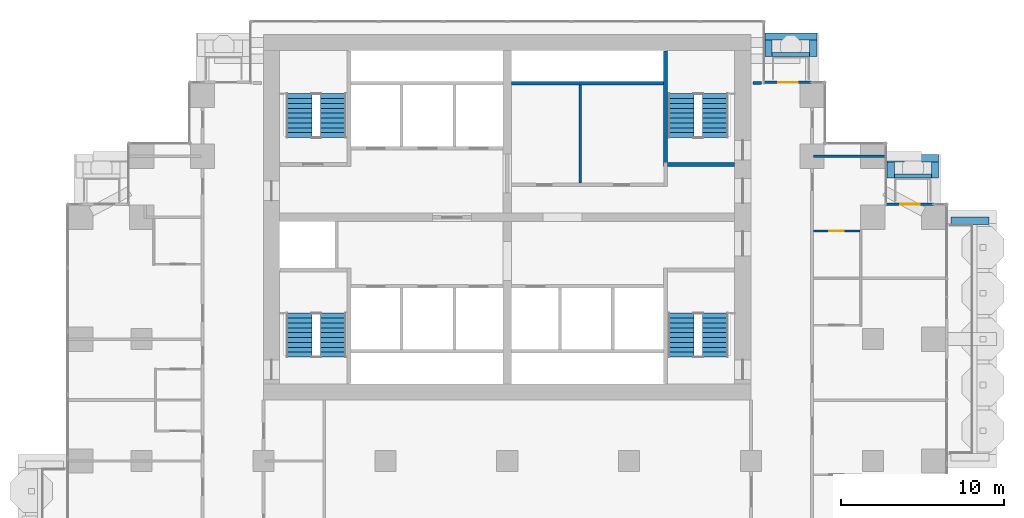
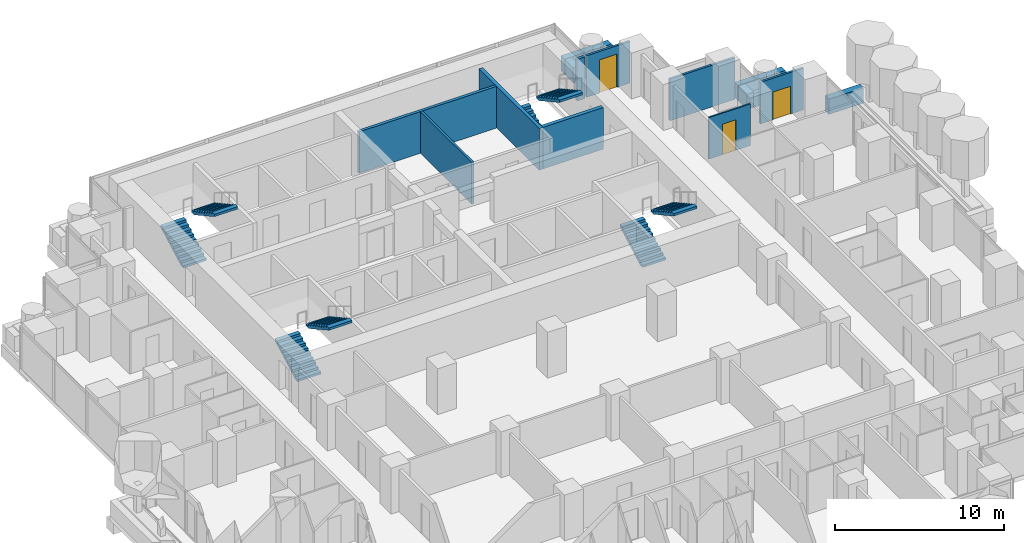
# One storey, part 16 of 19: 18 walls, 8 stair flights, 3 doors, 3 openings, 4 elements without a shape of their own.
"""IFC4 building model written with IfcOpenShell, lengths in metres."""

from ifc_helpers import new_model, si_unit, direction, frame, frame_2d, origin, place, context, subcontext, project, spatial, polyline, rectangle, outline, extrude, material, layer, layer_set, type_object, element, fill, aggregate, save


model = new_model("IFC4")

# Units and contexts
model_context = context("Model", 3, precision=1e-05, world=origin(), true_north=direction((0.0, 1.0)))
body_context = subcontext(model_context, "Body", "Model", "MODEL_VIEW")
ifc_project = project(units=[si_unit("LENGTHUNIT", "METRE"), si_unit("AREAUNIT", "SQUARE_METRE"), si_unit("VOLUMEUNIT", "CUBIC_METRE"), si_unit("PLANEANGLEUNIT", "RADIAN"), si_unit("MASSUNIT", "GRAM", prefix="KILO")], contexts=[model_context])

# Site, building, storey
site_placement = place(None, origin())
site = spatial("IfcSite", under=ifc_project, at=site_placement, CompositionType="ELEMENT")
building_placement = place(site_placement, origin())
building = spatial("IfcBuilding", under=site, at=building_placement, Name="Pilkhan Gate Tower", CompositionType="ELEMENT")
storey_placement = place(building_placement, frame((0.0, 0.0, 65.89990234375)))
storey = spatial("IfcBuildingStorey", under=building, at=storey_placement, Name="L14", CompositionType="ELEMENT", Elevation=65.89990234375)

# Walls
ifc_material_1 = material(Name="Concrete C40/50", Category="concrete")
ifc_layer_1 = layer(ifc_material_1, 0.25)
ifc_layer_set_1 = layer_set([ifc_layer_1], Name="Balcony planter BP250")
wall_type_1 = type_object("IfcWallType", Name="Balcony planter BP250", PredefinedType="USERDEFINED", material=ifc_layer_set_1)
wall_1_placement = place(storey_placement, frame((91.300048828125, 92.52490234375, 0.0), z_axis=(0.0, 0.0, 1.0), x_axis=(1.0, 0.0, 0.0)))
element("IfcWall", 1, at=wall_1_placement, inside=storey, type_object=wall_type_1, Name="Balcony planter L14 N", ObjectType="BALCONY PLANTER", PredefinedType="USERDEFINED", context=body_context, shape_type="SweptSolid", body=[
    extrude(rectangle(XDim=2.300048828125, YDim=0.25, at=frame_2d((1.14990234375, 0.0))), origin(), (0.0, 0.0, 1.0), 1.0),
])
wall_2_placement = place(storey_placement, frame((98.820068359375, 85.02490234375, 0.0), z_axis=(0.0, 0.0, 1.0), x_axis=(1.0, 0.0, 0.0)))
element("IfcWall", 2, at=wall_2_placement, inside=storey, type_object=wall_type_1, Name="Balcony planter L14 N", ObjectType="BALCONY PLANTER", PredefinedType="USERDEFINED", context=body_context, shape_type="SweptSolid", body=[
    extrude(rectangle(XDim=2.280029296875, YDim=0.25, at=frame_2d((1.14013671875, 0.0))), origin(), (0.0, 0.0, 1.0), 1.0),
])
ifc_material_2 = material(Name="Board-marked Concrete C40/50", Category="concrete")
ifc_layer_2 = layer(ifc_material_2, 0.449951171875)
ifc_layer_set_2 = layer_set([ifc_layer_2], Name="Balcony planter lip BL450")
wall_type_2 = type_object("IfcWallType", Name="Balcony planter lip BL450", PredefinedType="USERDEFINED", material=ifc_layer_set_2)
wall_3_placement = place(storey_placement, frame((102.300048828125, 82.27490234375, 0.0), z_axis=(0.0, 0.0, 1.0), x_axis=(1.0, 0.0, 0.0)))
element("IfcWall", 3, at=wall_3_placement, inside=storey, type_object=wall_type_2, Name="Balcony planter L14 E", ObjectType="BALCONY PLANTER", PredefinedType="USERDEFINED", context=body_context, shape_type="SweptSolid", body=[
    extrude(rectangle(XDim=2.349853515625, YDim=0.449951171875, at=frame_2d((1.1748046875, 0.0))), origin(), (0.0, 0.0, 1.0), 1.10009765625),
])
wall_4_placement = place(storey_placement, frame((90.85009765625, 93.625, 0.0), z_axis=(0.0, 0.0, 1.0), x_axis=(1.0, 0.0, 0.0)))
element("IfcWall", 4, at=wall_4_placement, inside=storey, type_object=wall_type_2, Name="Balcony planter L14 N", ObjectType="BALCONY PLANTER", PredefinedType="USERDEFINED", context=body_context, shape_type="SweptSolid", body=[
    extrude(rectangle(XDim=3.199951171875, YDim=0.449951171875, at=frame_2d((1.60009765625, 0.0))), origin(), (0.0, 0.0, 1.0), 1.10009765625),
])
for number, where, z_axis, x_axis, name in (
    (5, (91.074951171875, 92.39990234375, 0.0), (0.0, 0.0, 1.0), (0.0, 1.0, 0.0), "Balcony planter L14 N"),
    (6, (93.824951171875, 92.39990234375, 0.0), (0.0, 0.0, 1.0), (0.0, 1.0, 0.0), "Balcony planter L14 N"),
):
    element("IfcWall", number, at=place(storey_placement, frame(where, z_axis=z_axis, x_axis=x_axis)), inside=storey, type_object=wall_type_2, Name=name, ObjectType="BALCONY PLANTER", PredefinedType="USERDEFINED", context=body_context, shape_type="SweptSolid", body=[
        extrude(rectangle(XDim=1.0, YDim=0.449951171875, at=frame_2d((0.5, 0.0))), origin(), (0.0, 0.0, 1.0), 1.10009765625),
    ])
wall_5_placement = place(storey_placement, frame((98.3701171875, 86.125, 0.0), z_axis=(0.0, 0.0, 1.0), x_axis=(1.0, 0.0, 0.0)))
element("IfcWall", 7, at=wall_5_placement, inside=storey, type_object=wall_type_2, Name="Balcony planter L14 N", ObjectType="BALCONY PLANTER", PredefinedType="USERDEFINED", context=body_context, shape_type="SweptSolid", body=[
    extrude(rectangle(XDim=3.179931640625, YDim=0.449951171875, at=frame_2d((1.58984375, 0.0))), origin(), (0.0, 0.0, 1.0), 1.10009765625),
])
for number, where, z_axis, x_axis, name in (
    (8, (98.594970703125, 84.89990234375, 0.0), (0.0, 0.0, 1.0), (0.0, 1.0, 0.0), "Balcony planter L14 N"),
    (9, (101.324951171875, 84.89990234375, 0.0), (0.0, 0.0, 1.0), (0.0, 1.0, 0.0), "Balcony planter L14 N"),
):
    element("IfcWall", number, at=place(storey_placement, frame(where, z_axis=z_axis, x_axis=x_axis)), inside=storey, type_object=wall_type_2, Name=name, ObjectType="BALCONY PLANTER", PredefinedType="USERDEFINED", context=body_context, shape_type="SweptSolid", body=[
        extrude(rectangle(XDim=1.0, YDim=0.449951171875, at=frame_2d((0.5, 0.0))), origin(), (0.0, 0.0, 1.0), 1.10009765625),
    ])
ifc_material_3 = material(Name="Dense blockwork", Category="masonry")
ifc_layer_3 = layer(ifc_material_3, 0.199951171875)
ifc_layer_set_3 = layer_set([ifc_layer_3], Name="Corridor wall FW200")
wall_type_3 = type_object("IfcWallType", Name="Corridor wall FW200", PredefinedType="PARTITIONING", material=ifc_layer_set_3)
wall_6_placement = place(storey_placement, frame((90.1201171875, 90.764892578125, 0.0), z_axis=(0.0, 0.0, 1.0), x_axis=(1.0, 0.0, 0.0)))
element("IfcWall", 10, at=wall_6_placement, inside=storey, type_object=wall_type_3, Name="Partition L14", PredefinedType="PARTITIONING", context=body_context, shape_type="SweptSolid", body=[
    extrude(rectangle(XDim=0.52490234375, YDim=0.199951171875, at=frame_2d((0.262451171875, 0.0))), origin(), (0.0, 0.0, 1.0), 3.0),
])

# Wall, opening, door
ifc_material_4 = material(Name="Pale anodised aluminium, clear laminated glazing", Category="aluminium")
ifc_layer_4 = layer(ifc_material_4, 0.14990234375)
ifc_layer_set_4 = layer_set([ifc_layer_4], Name="Facade infill wall IW150")
wall_type_4 = type_object("IfcWallType", Name="Facade infill wall IW150", PredefinedType="SOLIDWALL", material=ifc_layer_set_4)
wall_7_placement = place(storey_placement, frame((98.294921875, 83.294921875, 0.0), z_axis=(0.0, 0.0, 1.0), x_axis=(1.0, 0.0, 0.0)))
wall_7 = element("IfcWall", 11, at=wall_7_placement, inside=storey, type_object=wall_type_4, Name="Infill wall L14 N", PredefinedType="SOLIDWALL", context=body_context, shape_type="SweptSolid", body=[
    extrude(rectangle(XDim=2.955078125, YDim=0.14990234375, at=frame_2d((1.4775390625, 0.0))), origin(), (0.0, 0.0, 1.0), 3.0),
])
opening_1_placement = place(wall_7_placement, frame((0.87744140625, 0.0, 0.0)))
opening_1 = element("IfcOpeningElement", 12, at=opening_1_placement, cuts=wall_7, Name="Opening D1L", PredefinedType="OPENING", context=body_context, shape_type="SweptSolid", body=[
    extrude(rectangle(XDim=1.199951171875, YDim=2.0, at=frame_2d((0.60009765625, 1.0))), frame((0.0, 0.0849609375, 0.0), z_axis=(0.0, -1.0, 0.0), x_axis=(1.0, 0.0, 0.0)), (0.0, 0.0, 1.0), 0.169921875),
])
ifc_material_5 = material(Name="Pale anodised aluminium, clear glazing", Category="aluminium")
door_type_1 = type_object("IfcDoorType", Name="Balcony door D1L 1200x2000", OperationType="SINGLE_SWING_LEFT", PredefinedType="DOOR", material=ifc_material_5)
door_1_placement = place(opening_1_placement, origin())
door_1 = element("IfcDoor", 13, at=door_1_placement, inside=storey, type_object=door_type_1, Name="Balcony door L14", OperationType="SINGLE_SWING_LEFT", OverallHeight=2.0, OverallWidth=1.199951171875, PredefinedType="DOOR", context=body_context, shape_type="SweptSolid", body=[
    extrude(rectangle(XDim=1.199951171875, YDim=2.0, at=frame_2d((0.60009765625, 1.0))), frame((0.0, 0.02490234375, 0.0), z_axis=(0.0, -1.0, 0.0), x_axis=(1.0, 0.0, 0.0)), (0.0, 0.0, 1.0), 0.050048828125),
])
fill(opening_1, door_1)

wall_8_placement = place(storey_placement, frame((90.794921875, 90.794921875, 0.0), z_axis=(0.0, 0.0, 1.0), x_axis=(1.0, 0.0, 0.0)))
wall_8 = element("IfcWall", 14, at=wall_8_placement, inside=storey, type_object=wall_type_4, Name="Infill wall L14 N", PredefinedType="SOLIDWALL", context=body_context, shape_type="SweptSolid", body=[
    extrude(rectangle(XDim=2.955078125, YDim=0.14990234375, at=frame_2d((1.4775390625, 0.0))), origin(), (0.0, 0.0, 1.0), 3.0),
])
opening_2_placement = place(wall_8_placement, frame((0.87744140625, 0.0, 0.0)))
opening_2 = element("IfcOpeningElement", 15, at=opening_2_placement, cuts=wall_8, Name="Opening D1", PredefinedType="OPENING", context=body_context, shape_type="SweptSolid", body=[
    extrude(rectangle(XDim=1.199951171875, YDim=2.39990234375, at=frame_2d((0.60009765625, 1.199951171875))), frame((0.0, 0.0849609375, 0.0), z_axis=(0.0, -1.0, 0.0), x_axis=(1.0, 0.0, 0.0)), (0.0, 0.0, 1.0), 0.169921875),
])
door_type_2 = type_object("IfcDoorType", Name="Balcony door D1 1200x2400", OperationType="SINGLE_SWING_LEFT", PredefinedType="DOOR", material=ifc_material_5)
door_2_placement = place(opening_2_placement, origin())
door_2 = element("IfcDoor", 16, at=door_2_placement, inside=storey, type_object=door_type_2, Name="Balcony door L14", OperationType="SINGLE_SWING_LEFT", OverallHeight=2.39990234375, OverallWidth=1.199951171875, PredefinedType="DOOR", context=body_context, shape_type="SweptSolid", body=[
    extrude(rectangle(XDim=1.199951171875, YDim=2.39990234375, at=frame_2d((0.60009765625, 1.199951171875))), frame((0.0, 0.02490234375, 0.0), z_axis=(0.0, -1.0, 0.0), x_axis=(1.0, 0.0, 0.0)), (0.0, 0.0, 1.0), 0.050048828125),
])
fill(opening_2, door_2)

# Walls
ifc_layer_5 = layer(ifc_material_3, 0.199951171875)
ifc_layer_set_5 = layer_set([ifc_layer_5], Name="Lobby wall LW200")
wall_type_5 = type_object("IfcWallType", Name="Lobby wall LW200", PredefinedType="PARTITIONING", material=ifc_layer_set_5)
wall_9_placement = place(storey_placement, frame((75.260009765625, 90.75, 0.0), z_axis=(0.0, 0.0, 1.0), x_axis=(1.0, 0.0, 0.0)))
element("IfcWall", 17, at=wall_9_placement, inside=storey, type_object=wall_type_5, Name="Partition L14", PredefinedType="PARTITIONING", context=body_context, shape_type="SweptSolid", body=[
    extrude(rectangle(XDim=9.364990234375, YDim=0.199951171875, at=frame_2d((4.6826171875, 0.0))), origin(), (0.0, 0.0, 1.0), 3.0),
])
ifc_material_6 = material(Name="Blockwork partition, plastered both sides", Category="masonry")
ifc_layer_6 = layer(ifc_material_6, 0.14990234375)
ifc_layer_set_6 = layer_set([ifc_layer_6], Name="Partition PW150")
wall_type_6 = type_object("IfcWallType", Name="Partition PW150", PredefinedType="PARTITIONING", material=ifc_layer_set_6)
wall_10_placement = place(storey_placement, frame((93.85009765625, 86.25, 0.0), z_axis=(0.0, 0.0, 1.0), x_axis=(1.0, 0.0, 0.0)))
element("IfcWall", 18, at=wall_10_placement, inside=storey, type_object=wall_type_6, Name="Partition L14", PredefinedType="PARTITIONING", context=body_context, shape_type="SweptSolid", body=[
    extrude(rectangle(XDim=4.414794921875, YDim=0.14990234375, at=frame_2d((2.20751953125, 0.0))), origin(), (0.0, 0.0, 1.0), 3.0),
])
wall_11_placement = place(storey_placement, frame((79.5, 84.60009765625, 0.0), z_axis=(0.0, 0.0, 1.0), x_axis=(0.0, 1.0, 0.0)))
element("IfcWall", 19, at=wall_11_placement, inside=storey, type_object=wall_type_6, Name="Partition L14", PredefinedType="PARTITIONING", context=body_context, shape_type="SweptSolid", body=[
    extrude(rectangle(XDim=6.0498046875, YDim=0.14990234375, at=frame_2d((3.02490234375, 0.0))), origin(), (0.0, 0.0, 1.0), 3.0),
])
ifc_material_7 = material(Name="Reinforced blockwork, 120 minute fire resisting", Category="masonry")
ifc_layer_7 = layer(ifc_material_7, 0.25)
ifc_layer_set_7 = layer_set([ifc_layer_7], Name="Stair enclosure wall SE250")
wall_type_7 = type_object("IfcWallType", Name="Stair enclosure wall SE250", PredefinedType="PARTITIONING", material=ifc_layer_set_7)
wall_12_placement = place(storey_placement, frame((84.875, 85.75, 0.0), z_axis=(0.0, 0.0, 1.0), x_axis=(1.0, 0.0, 0.0)))
element("IfcWall", 20, at=wall_12_placement, inside=storey, type_object=wall_type_7, Name="Partition L14", PredefinedType="PARTITIONING", context=body_context, shape_type="SweptSolid", body=[
    extrude(rectangle(XDim=4.114990234375, YDim=0.25, at=frame_2d((2.0576171875, 0.0))), origin(), (0.0, 0.0, 1.0), 3.0),
])
wall_13_placement = place(storey_placement, frame((84.75, 85.625, 0.0), z_axis=(0.0, 0.0, 1.0), x_axis=(0.0, 1.0, 0.0)))
element("IfcWall", 21, at=wall_13_placement, inside=storey, type_object=wall_type_7, Name="Partition L14", PredefinedType="PARTITIONING", context=body_context, shape_type="SweptSolid", body=[
    extrude(rectangle(XDim=7.114990234375, YDim=0.25, at=frame_2d((3.5576171875, 0.0))), origin(), (0.0, 0.0, 1.0), 3.0),
])

# Wall, opening, door
ifc_material_8 = material(Name="Moisture resistant board, tiled")
ifc_layer_8 = layer(ifc_material_8, 0.10009765625)
ifc_layer_set_8 = layer_set([ifc_layer_8], Name="Wet wall PW100")
wall_type_8 = type_object("IfcWallType", Name="Wet wall PW100", PredefinedType="PARTITIONING", material=ifc_layer_set_8)
wall_14_placement = place(storey_placement, frame((93.85009765625, 81.64990234375, 0.0), z_axis=(0.0, 0.0, 1.0), x_axis=(1.0, 0.0, 0.0)))
wall_14 = element("IfcWall", 22, at=wall_14_placement, inside=storey, type_object=wall_type_8, Name="Partition L14", PredefinedType="PARTITIONING", context=body_context, shape_type="SweptSolid", body=[
    extrude(rectangle(XDim=2.849853515625, YDim=0.10009765625, at=frame_2d((1.4248046875, 0.0))), origin(), (0.0, 0.0, 1.0), 3.0),
])
opening_3_placement = place(wall_14_placement, frame((0.949951171875, 0.0, 0.0)))
opening_3 = element("IfcOpeningElement", 23, at=opening_3_placement, cuts=wall_14, Name="Opening L14-47", PredefinedType="OPENING", context=body_context, shape_type="SweptSolid", body=[
    extrude(rectangle(XDim=0.89990234375, YDim=2.199951171875, at=frame_2d((0.449951171875, 1.10009765625))), frame((0.0, 0.06005859375, 0.0), z_axis=(0.0, -1.0, 0.0), x_axis=(1.0, 0.0, 0.0)), (0.0, 0.0, 1.0), 0.1201171875),
])
ifc_material_9 = material(Name="Timber flush door", Category="wood")
door_type_3 = type_object("IfcDoorType", Name="Bathroom door D02 900x2200", OperationType="SINGLE_SWING_RIGHT", PredefinedType="DOOR", material=ifc_material_9)
door_3_placement = place(opening_3_placement, origin())
door_3 = element("IfcDoor", 24, at=door_3_placement, inside=storey, type_object=door_type_3, Name="Bathroom door", OperationType="SINGLE_SWING_RIGHT", OverallHeight=2.199951171875, OverallWidth=0.89990234375, PredefinedType="DOOR", context=body_context, shape_type="SweptSolid", body=[
    extrude(rectangle(XDim=0.89990234375, YDim=2.199951171875, at=frame_2d((0.449951171875, 1.10009765625))), frame((0.0, 0.02490234375, 0.0), z_axis=(0.0, -1.0, 0.0), x_axis=(1.0, 0.0, 0.0)), (0.0, 0.0, 1.0), 0.050048828125),
])
fill(opening_3, door_3)

# Stair, stair flights
ifc_material_10 = material(Name="Concrete C40/50 precast", Category="concrete")
stair_type_1 = type_object("IfcStairType", Name="Stair ST1 165x300", PredefinedType="HALF_TURN_STAIR", material=ifc_material_10)
stair_1_placement = place(storey_placement, origin())
stair_1 = element("IfcStair", 25, at=stair_1_placement, inside=storey, type_object=stair_type_1, Name="Stair ST1 L14", PredefinedType="HALF_TURN_STAIR")
stair_flight_type_1 = type_object("IfcStairFlightType", Name="Stair flight ST1 165x300x10", PredefinedType="STRAIGHT", material=ifc_material_10)
stair_flight_1_placement = place(storey_placement, frame((85.68994140625, 73.89990234375, 0.0), z_axis=(0.0, 0.0, 1.0), x_axis=(0.0, 1.0, 0.0)))
stair_flight_1 = element("IfcStairFlight", 26, at=stair_flight_1_placement, type_object=stair_flight_type_1, Name="ST1 flight 1", NumberOfRisers=10, NumberOfTreads=9, PredefinedType="STRAIGHT", RiserHeight=0.165, TreadLength=0.3, context=body_context, shape_type="SweptSolid", body=[
    extrude(outline(polyline([(0.0, 0.0), (0.0, 0.1650390625), (0.300048828125, 0.1650390625), (0.300048828125, 0.330078125), (0.60009765625, 0.330078125), (0.60009765625, 0.4951171875), (0.89990234375, 0.4951171875), (0.89990234375, 0.659912109375), (1.199951171875, 0.659912109375), (1.199951171875, 0.824951171875), (1.5, 0.824951171875), (1.5, 0.989990234375), (1.800048828125, 0.989990234375), (1.800048828125, 1.155029296875), (2.10009765625, 1.155029296875), (2.10009765625, 1.320068359375), (2.39990234375, 1.320068359375), (2.39990234375, 1.485107421875), (2.699951171875, 1.485107421875), (2.699951171875, 1.64990234375), (2.699951171875, 1.31396484375), (0.31103515625, 0.0), (0.0, 0.0)])), frame((0.0, 0.7900390625, 0.0), z_axis=(0.0, -1.0, 0.0), x_axis=(1.0, 0.0, 0.0)), (0.0, 0.0, 1.0), 1.580078125),
])
stair_flight_2_placement = place(storey_placement, frame((87.81005859375, 76.60009765625, 1.650146484375), z_axis=(0.0, 0.0, 1.0), x_axis=(0.0, -1.0, 0.0)))
stair_flight_2 = element("IfcStairFlight", 27, at=stair_flight_2_placement, type_object=stair_flight_type_1, Name="ST1 flight 2", NumberOfRisers=10, NumberOfTreads=9, PredefinedType="STRAIGHT", RiserHeight=0.165, TreadLength=0.3, context=body_context, shape_type="SweptSolid", body=[
    extrude(outline(polyline([(0.0, 0.0), (0.0, 0.1650390625), (0.300048828125, 0.1650390625), (0.300048828125, 0.330078125), (0.60009765625, 0.330078125), (0.60009765625, 0.4951171875), (0.89990234375, 0.4951171875), (0.89990234375, 0.659912109375), (1.199951171875, 0.659912109375), (1.199951171875, 0.824951171875), (1.5, 0.824951171875), (1.5, 0.989990234375), (1.800048828125, 0.989990234375), (1.800048828125, 1.155029296875), (2.10009765625, 1.155029296875), (2.10009765625, 1.320068359375), (2.39990234375, 1.320068359375), (2.39990234375, 1.485107421875), (2.699951171875, 1.485107421875), (2.699951171875, 1.64990234375), (2.699951171875, 1.31396484375), (0.31103515625, 0.0), (0.0, 0.0)])), frame((0.0, 0.7900390625, 0.0), z_axis=(0.0, -1.0, 0.0), x_axis=(1.0, 0.0, 0.0)), (0.0, 0.0, 1.0), 1.580078125),
])
aggregate(stair_1, [stair_flight_1, stair_flight_2])

stair_type_2 = type_object("IfcStairType", Name="Stair ST2 165x300", PredefinedType="HALF_TURN_STAIR", material=ifc_material_10)
stair_2_placement = place(storey_placement, origin())
stair_2 = element("IfcStair", 28, at=stair_2_placement, inside=storey, type_object=stair_type_2, Name="Stair ST2 L14", PredefinedType="HALF_TURN_STAIR")
stair_flight_type_2 = type_object("IfcStairFlightType", Name="Stair flight ST2 165x300x10", PredefinedType="STRAIGHT", material=ifc_material_10)
stair_flight_3_placement = place(storey_placement, frame((62.18994140625, 73.89990234375, 0.0), z_axis=(0.0, 0.0, 1.0), x_axis=(0.0, 1.0, 0.0)))
stair_flight_3 = element("IfcStairFlight", 29, at=stair_flight_3_placement, type_object=stair_flight_type_2, Name="ST2 flight 1", NumberOfRisers=10, NumberOfTreads=9, PredefinedType="STRAIGHT", RiserHeight=0.165, TreadLength=0.3, context=body_context, shape_type="SweptSolid", body=[
    extrude(outline(polyline([(0.0, 0.0), (0.0, 0.1650390625), (0.300048828125, 0.1650390625), (0.300048828125, 0.330078125), (0.60009765625, 0.330078125), (0.60009765625, 0.4951171875), (0.89990234375, 0.4951171875), (0.89990234375, 0.659912109375), (1.199951171875, 0.659912109375), (1.199951171875, 0.824951171875), (1.5, 0.824951171875), (1.5, 0.989990234375), (1.800048828125, 0.989990234375), (1.800048828125, 1.155029296875), (2.10009765625, 1.155029296875), (2.10009765625, 1.320068359375), (2.39990234375, 1.320068359375), (2.39990234375, 1.485107421875), (2.699951171875, 1.485107421875), (2.699951171875, 1.64990234375), (2.699951171875, 1.31396484375), (0.31103515625, 0.0), (0.0, 0.0)])), frame((0.0, 0.7900390625, 0.0), z_axis=(0.0, -1.0, 0.0), x_axis=(1.0, 0.0, 0.0)), (0.0, 0.0, 1.0), 1.580078125),
])
stair_flight_4_placement = place(storey_placement, frame((64.31005859375, 76.60009765625, 1.650146484375), z_axis=(0.0, 0.0, 1.0), x_axis=(0.0, -1.0, 0.0)))
stair_flight_4 = element("IfcStairFlight", 30, at=stair_flight_4_placement, type_object=stair_flight_type_2, Name="ST2 flight 2", NumberOfRisers=10, NumberOfTreads=9, PredefinedType="STRAIGHT", RiserHeight=0.165, TreadLength=0.3, context=body_context, shape_type="SweptSolid", body=[
    extrude(outline(polyline([(0.0, 0.0), (0.0, 0.1650390625), (0.300048828125, 0.1650390625), (0.300048828125, 0.330078125), (0.60009765625, 0.330078125), (0.60009765625, 0.4951171875), (0.89990234375, 0.4951171875), (0.89990234375, 0.659912109375), (1.199951171875, 0.659912109375), (1.199951171875, 0.824951171875), (1.5, 0.824951171875), (1.5, 0.989990234375), (1.800048828125, 0.989990234375), (1.800048828125, 1.155029296875), (2.10009765625, 1.155029296875), (2.10009765625, 1.320068359375), (2.39990234375, 1.320068359375), (2.39990234375, 1.485107421875), (2.699951171875, 1.485107421875), (2.699951171875, 1.64990234375), (2.699951171875, 1.31396484375), (0.31103515625, 0.0), (0.0, 0.0)])), frame((0.0, 0.7900390625, 0.0), z_axis=(0.0, -1.0, 0.0), x_axis=(1.0, 0.0, 0.0)), (0.0, 0.0, 1.0), 1.580078125),
])
aggregate(stair_2, [stair_flight_3, stair_flight_4])

stair_type_3 = type_object("IfcStairType", Name="Stair ST3 165x300", PredefinedType="HALF_TURN_STAIR", material=ifc_material_10)
stair_3_placement = place(storey_placement, origin())
stair_3 = element("IfcStair", 31, at=stair_3_placement, inside=storey, type_object=stair_type_3, Name="Stair ST3 L14", PredefinedType="HALF_TURN_STAIR")
stair_flight_type_3 = type_object("IfcStairFlightType", Name="Stair flight ST3 165x300x10", PredefinedType="STRAIGHT", material=ifc_material_10)
stair_flight_5_placement = place(storey_placement, frame((62.18994140625, 87.39990234375, 0.0), z_axis=(0.0, 0.0, 1.0), x_axis=(0.0, 1.0, 0.0)))
stair_flight_5 = element("IfcStairFlight", 32, at=stair_flight_5_placement, type_object=stair_flight_type_3, Name="ST3 flight 1", NumberOfRisers=10, NumberOfTreads=9, PredefinedType="STRAIGHT", RiserHeight=0.165, TreadLength=0.3, context=body_context, shape_type="SweptSolid", body=[
    extrude(outline(polyline([(0.0, 0.0), (0.0, 0.1650390625), (0.300048828125, 0.1650390625), (0.300048828125, 0.330078125), (0.60009765625, 0.330078125), (0.60009765625, 0.4951171875), (0.89990234375, 0.4951171875), (0.89990234375, 0.659912109375), (1.199951171875, 0.659912109375), (1.199951171875, 0.824951171875), (1.5, 0.824951171875), (1.5, 0.989990234375), (1.800048828125, 0.989990234375), (1.800048828125, 1.155029296875), (2.10009765625, 1.155029296875), (2.10009765625, 1.320068359375), (2.39990234375, 1.320068359375), (2.39990234375, 1.485107421875), (2.699951171875, 1.485107421875), (2.699951171875, 1.64990234375), (2.699951171875, 1.31396484375), (0.31103515625, 0.0), (0.0, 0.0)])), frame((0.0, 0.7900390625, 0.0), z_axis=(0.0, -1.0, 0.0), x_axis=(1.0, 0.0, 0.0)), (0.0, 0.0, 1.0), 1.580078125),
])
stair_flight_6_placement = place(storey_placement, frame((64.31005859375, 90.10009765625, 1.650146484375), z_axis=(0.0, 0.0, 1.0), x_axis=(0.0, -1.0, 0.0)))
stair_flight_6 = element("IfcStairFlight", 33, at=stair_flight_6_placement, type_object=stair_flight_type_3, Name="ST3 flight 2", NumberOfRisers=10, NumberOfTreads=9, PredefinedType="STRAIGHT", RiserHeight=0.165, TreadLength=0.3, context=body_context, shape_type="SweptSolid", body=[
    extrude(outline(polyline([(0.0, 0.0), (0.0, 0.1650390625), (0.300048828125, 0.1650390625), (0.300048828125, 0.330078125), (0.60009765625, 0.330078125), (0.60009765625, 0.4951171875), (0.89990234375, 0.4951171875), (0.89990234375, 0.659912109375), (1.199951171875, 0.659912109375), (1.199951171875, 0.824951171875), (1.5, 0.824951171875), (1.5, 0.989990234375), (1.800048828125, 0.989990234375), (1.800048828125, 1.155029296875), (2.10009765625, 1.155029296875), (2.10009765625, 1.320068359375), (2.39990234375, 1.320068359375), (2.39990234375, 1.485107421875), (2.699951171875, 1.485107421875), (2.699951171875, 1.64990234375), (2.699951171875, 1.31396484375), (0.31103515625, 0.0), (0.0, 0.0)])), frame((0.0, 0.7900390625, 0.0), z_axis=(0.0, -1.0, 0.0), x_axis=(1.0, 0.0, 0.0)), (0.0, 0.0, 1.0), 1.580078125),
])
aggregate(stair_3, [stair_flight_5, stair_flight_6])

stair_type_4 = type_object("IfcStairType", Name="Stair ST4 165x300", PredefinedType="HALF_TURN_STAIR", material=ifc_material_10)
stair_4_placement = place(storey_placement, origin())
stair_4 = element("IfcStair", 34, at=stair_4_placement, inside=storey, type_object=stair_type_4, Name="Stair ST4 L14", PredefinedType="HALF_TURN_STAIR")
stair_flight_type_4 = type_object("IfcStairFlightType", Name="Stair flight ST4 165x300x10", PredefinedType="STRAIGHT", material=ifc_material_10)
stair_flight_7_placement = place(storey_placement, frame((85.68994140625, 87.39990234375, 0.0), z_axis=(0.0, 0.0, 1.0), x_axis=(0.0, 1.0, 0.0)))
stair_flight_7 = element("IfcStairFlight", 35, at=stair_flight_7_placement, type_object=stair_flight_type_4, Name="ST4 flight 1", NumberOfRisers=10, NumberOfTreads=9, PredefinedType="STRAIGHT", RiserHeight=0.165, TreadLength=0.3, context=body_context, shape_type="SweptSolid", body=[
    extrude(outline(polyline([(0.0, 0.0), (0.0, 0.1650390625), (0.300048828125, 0.1650390625), (0.300048828125, 0.330078125), (0.60009765625, 0.330078125), (0.60009765625, 0.4951171875), (0.89990234375, 0.4951171875), (0.89990234375, 0.659912109375), (1.199951171875, 0.659912109375), (1.199951171875, 0.824951171875), (1.5, 0.824951171875), (1.5, 0.989990234375), (1.800048828125, 0.989990234375), (1.800048828125, 1.155029296875), (2.10009765625, 1.155029296875), (2.10009765625, 1.320068359375), (2.39990234375, 1.320068359375), (2.39990234375, 1.485107421875), (2.699951171875, 1.485107421875), (2.699951171875, 1.64990234375), (2.699951171875, 1.31396484375), (0.31103515625, 0.0), (0.0, 0.0)])), frame((0.0, 0.7900390625, 0.0), z_axis=(0.0, -1.0, 0.0), x_axis=(1.0, 0.0, 0.0)), (0.0, 0.0, 1.0), 1.580078125),
])
stair_flight_8_placement = place(storey_placement, frame((87.81005859375, 90.10009765625, 1.650146484375), z_axis=(0.0, 0.0, 1.0), x_axis=(0.0, -1.0, 0.0)))
stair_flight_8 = element("IfcStairFlight", 36, at=stair_flight_8_placement, type_object=stair_flight_type_4, Name="ST4 flight 2", NumberOfRisers=10, NumberOfTreads=9, PredefinedType="STRAIGHT", RiserHeight=0.165, TreadLength=0.3, context=body_context, shape_type="SweptSolid", body=[
    extrude(outline(polyline([(0.0, 0.0), (0.0, 0.1650390625), (0.300048828125, 0.1650390625), (0.300048828125, 0.330078125), (0.60009765625, 0.330078125), (0.60009765625, 0.4951171875), (0.89990234375, 0.4951171875), (0.89990234375, 0.659912109375), (1.199951171875, 0.659912109375), (1.199951171875, 0.824951171875), (1.5, 0.824951171875), (1.5, 0.989990234375), (1.800048828125, 0.989990234375), (1.800048828125, 1.155029296875), (2.10009765625, 1.155029296875), (2.10009765625, 1.320068359375), (2.39990234375, 1.320068359375), (2.39990234375, 1.485107421875), (2.699951171875, 1.485107421875), (2.699951171875, 1.64990234375), (2.699951171875, 1.31396484375), (0.31103515625, 0.0), (0.0, 0.0)])), frame((0.0, 0.7900390625, 0.0), z_axis=(0.0, -1.0, 0.0), x_axis=(1.0, 0.0, 0.0)), (0.0, 0.0, 1.0), 1.580078125),
])
aggregate(stair_4, [stair_flight_7, stair_flight_8])

save(model, "model.ifc")
